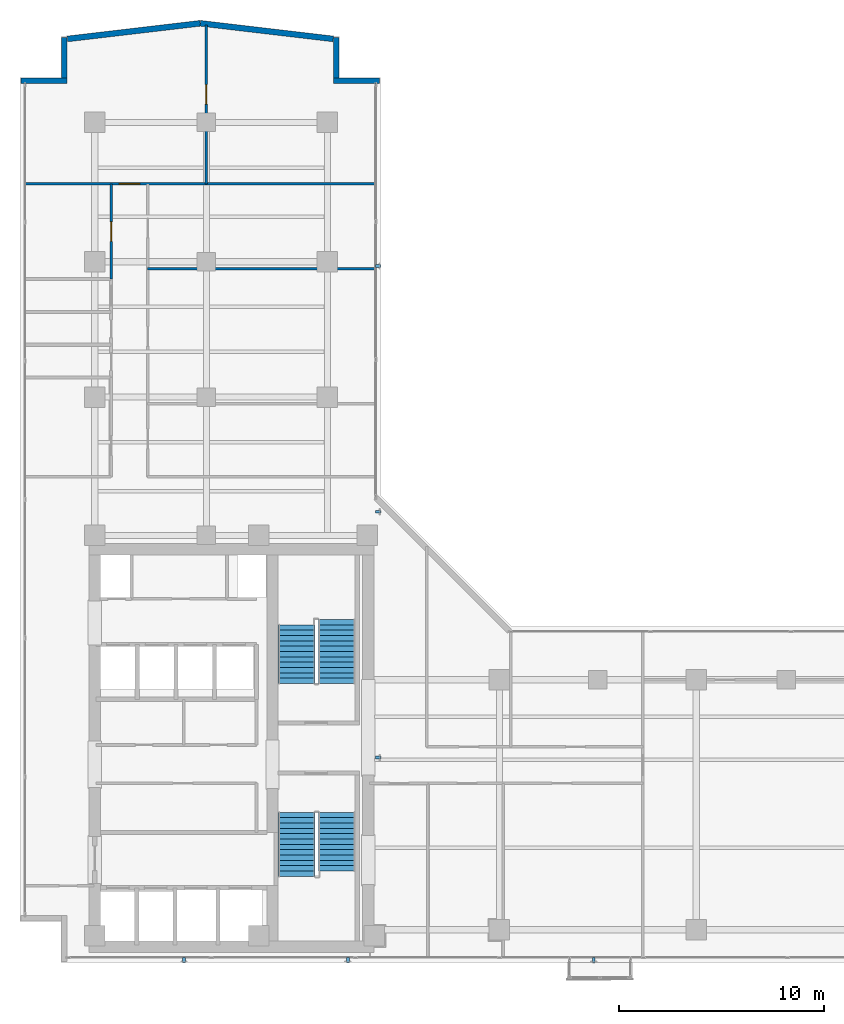
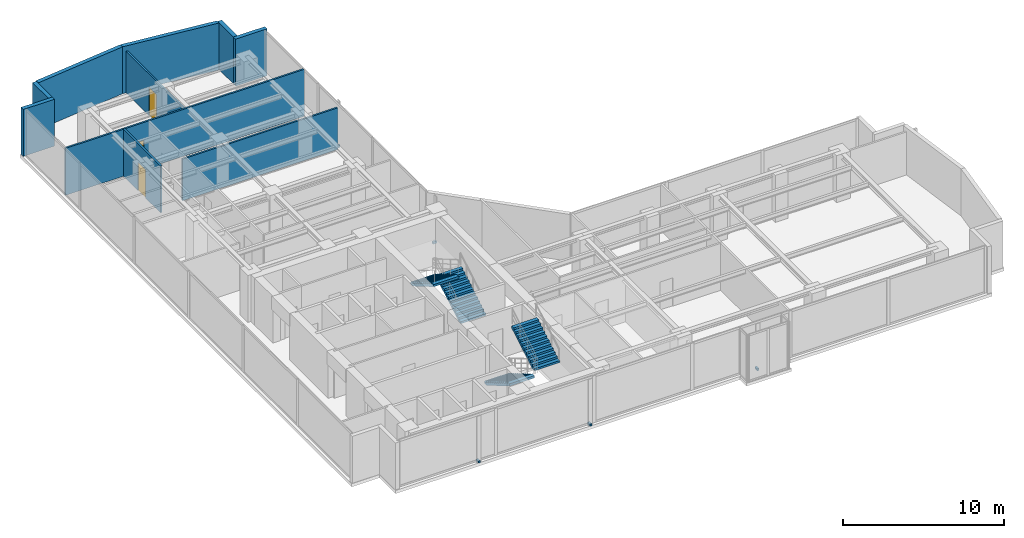
# One storey, part 19 of 23: 10 walls, 6 discrete accessories, 4 stair flights, 3 doors, 3 openings, 2 elements without a shape of their own.
"""IFC4 building model written with IfcOpenShell, lengths in metres."""

from ifc_helpers import new_model, si_unit, direction, frame, frame_2d, origin, origin_with_axes, origin_2d, place, context, subcontext, project, spatial, polyline, rectangle, outline, extrude, source, transform, mapped, material, layer, layer_set, type_object, element, fill, aggregate, save


model = new_model("IFC4")

# Units and contexts
model_context = context("Model", 3, precision=1e-05, world=origin(), true_north=direction((0.0, 1.0)))
body_context = subcontext(model_context, "Body", "Model", "MODEL_VIEW")
ifc_project = project(units=[si_unit("LENGTHUNIT", "METRE"), si_unit("AREAUNIT", "SQUARE_METRE"), si_unit("VOLUMEUNIT", "CUBIC_METRE"), si_unit("PLANEANGLEUNIT", "RADIAN"), si_unit("MASSUNIT", "GRAM", prefix="KILO")], contexts=[model_context])

# Site, building, storey
site_placement = place(None, origin())
site = spatial("IfcSite", under=ifc_project, at=site_placement, CompositionType="ELEMENT")
building_placement = place(site_placement, origin())
building = spatial("IfcBuilding", under=site, at=building_placement, Name="Kolvaren Waterfront Exchange", CompositionType="ELEMENT")
storey_placement = place(building_placement, frame((0.0, 0.0, 234.89990234375)))
storey = spatial("IfcBuildingStorey", under=building, at=storey_placement, Name="L60", CompositionType="ELEMENT", Elevation=234.89990234375)

# Walls
ifc_material_1 = material(Name="Precast concrete C40/50", Category="concrete")
ifc_layer_1 = layer(ifc_material_1, 0.280029296875, Name="Precast concrete C40/50")
ifc_layer_set_1 = layer_set([ifc_layer_1], Name="Precast concrete C40/50")
wall_type_1 = type_object("IfcWallType", Name="ARC-EXT-TERR-280", PredefinedType="SOLIDWALL", material=ifc_layer_set_1)
wall_1_placement = place(storey_placement, frame((19.10009765625, 46.639892578125, 0.0), z_axis=(0.0, 0.0, 1.0), x_axis=(1.0, 0.0, 0.0)))
element("IfcWall", 1, at=wall_1_placement, inside=storey, type_object=wall_type_1, Name="L60 notched corner spandrel pier NNE-A", PredefinedType="SOLIDWALL", context=body_context, shape_type="SweptSolid", body=[
    extrude(rectangle(XDim=2.239990234375, YDim=0.280029296875, at=frame_2d((1.1201171875, 0.0))), origin(), (0.0, 0.0, 1.0), 3.56005859375),
])
wall_2_placement = place(storey_placement, frame((19.239990234375, 46.780029296875, 0.0), z_axis=(0.0, 0.0, 1.0), x_axis=(0.0, 1.0, 0.0)))
element("IfcWall", 2, at=wall_2_placement, inside=storey, type_object=wall_type_1, Name="L60 notched corner spandrel pier NNE-B", PredefinedType="SOLIDWALL", context=body_context, shape_type="SweptSolid", body=[
    extrude(rectangle(XDim=1.9599609375, YDim=0.280029296875, at=frame_2d((0.97998046875, 0.0))), origin(), (0.0, 0.0, 1.0), 3.56005859375),
])
wall_3_placement = place(storey_placement, frame((3.860107421875, 46.639892578125, 0.0), z_axis=(0.0, 0.0, 1.0), x_axis=(1.0, 0.0, 0.0)))
element("IfcWall", 3, at=wall_3_placement, inside=storey, type_object=wall_type_1, Name="L60 notched corner spandrel pier NW-A", PredefinedType="SOLIDWALL", context=body_context, shape_type="SweptSolid", body=[
    extrude(rectangle(XDim=2.239990234375, YDim=0.280029296875, at=frame_2d((1.1201171875, 0.0))), origin(), (0.0, 0.0, 1.0), 3.56005859375),
])
wall_4_placement = place(storey_placement, frame((5.9599609375, 46.780029296875, 0.0), z_axis=(0.0, 0.0, 1.0), x_axis=(0.0, 1.0, 0.0)))
element("IfcWall", 4, at=wall_4_placement, inside=storey, type_object=wall_type_1, Name="L60 notched corner spandrel pier NW-B", PredefinedType="SOLIDWALL", context=body_context, shape_type="SweptSolid", body=[
    extrude(rectangle(XDim=1.9599609375, YDim=0.280029296875, at=frame_2d((0.97998046875, 0.0))), origin(), (0.0, 0.0, 1.0), 3.56005859375),
])
for number, where, z_axis, x_axis, name in (
    (5, (19.08349609375, 48.676025390625, 0.0), (0.0, 0.0, 1.0), (-0.993149072278, 0.11685426921, 0.0), "L60 north prow faceted facade wall 1"),
    (6, (12.598876953125, 49.438720703125, 0.0), (0.0, 0.0, 1.0), (-0.993149072278, -0.11685426921, 0.0), "L60 north prow faceted facade wall 2"),
):
    element("IfcWall", number, at=place(storey_placement, frame(where, z_axis=z_axis, x_axis=x_axis)), inside=storey, type_object=wall_type_1, Name=name, PredefinedType="SOLIDWALL", context=body_context, shape_type="SweptSolid", body=[
        extrude(rectangle(XDim=6.52685546875, YDim=0.280029296875, at=frame_2d((3.263427734375, 0.0))), origin(), (0.0, 0.0, 1.0), 3.56005859375),
    ])

# Wall, opening, door
ifc_material_2 = material(Name="Acoustic gypsum steel stud", Category="steel")
ifc_layer_2 = layer(ifc_material_2, 0.125, Name="Acoustic gypsum steel stud")
ifc_layer_set_2 = layer_set([ifc_layer_2], Name="Acoustic gypsum steel stud")
wall_type_2 = type_object("IfcWallType", Name="ARC-PART-125", PredefinedType="PARTITIONING", material=ifc_layer_set_2)
wall_5_placement = place(storey_placement, frame((8.25, 36.949951171875, 0.0), z_axis=(0.0, 0.0, 1.0), x_axis=(0.0, 1.0, 0.0)))
wall_5 = element("IfcWall", 7, at=wall_5_placement, inside=storey, type_object=wall_type_2, Name="L60 interior wall PW-L60-NW-CORR", PredefinedType="PARTITIONING", context=body_context, shape_type="SweptSolid", body=[
    extrude(rectangle(XDim=4.650146484375, YDim=0.125, at=frame_2d((2.3251953125, 0.0))), origin(), (0.0, 0.0, 1.0), 3.56005859375),
])
opening_1_placement = place(wall_5_placement, frame((1.85009765625, 0.0, 0.0)))
opening_1 = element("IfcOpeningElement", 8, at=opening_1_placement, cuts=wall_5, Name="Opening D02", PredefinedType="OPENING", context=body_context, shape_type="SweptSolid", body=[
    extrude(rectangle(XDim=0.949951171875, YDim=2.14990234375, at=frame_2d((0.47509765625, 1.074951171875))), frame((0.0, 0.072509765625, 0.0), z_axis=(0.0, -1.0, 0.0), x_axis=(1.0, 0.0, 0.0)), (0.0, 0.0, 1.0), 0.14501953125),
])
ifc_material_3 = material(Name="Oak veneer acoustic timber", Category="wood")
door_type_1 = type_object("IfcDoorType", Name="ARC-DR-950", OperationType="NOTDEFINED", PredefinedType="DOOR", material=ifc_material_3)
door_1_placement = place(opening_1_placement, origin())
door_1 = element("IfcDoor", 9, at=door_1_placement, inside=storey, type_object=door_type_1, Name="L60 door DR-L60-NW-D-1 (D02)", OperationType="SINGLE_SWING_LEFT", OverallHeight=2.14990234375, OverallWidth=0.949951171875, PredefinedType="DOOR", context=body_context, shape_type="SweptSolid", body=[
    extrude(rectangle(XDim=0.949951171875, YDim=2.14990234375, at=frame_2d((0.47509765625, 1.074951171875))), frame((0.0, 0.02490234375, 0.0), z_axis=(0.0, -1.0, 0.0), x_axis=(1.0, 0.0, 0.0)), (0.0, 0.0, 1.0), 0.050048828125),
])
fill(opening_1, door_1)

wall_6_placement = place(storey_placement, frame((4.0400390625, 41.60009765625, 0.0), z_axis=(0.0, 0.0, 1.0), x_axis=(1.0, 0.0, 0.0)))
wall_6 = element("IfcWall", 10, at=wall_6_placement, inside=storey, type_object=wall_type_2, Name="L60 interior wall PW-L60-NTIP-S", PredefinedType="PARTITIONING", context=body_context, shape_type="SweptSolid", body=[
    extrude(rectangle(XDim=17.119873046875, YDim=0.125, at=frame_2d((8.56005859375, 0.0))), origin(), (0.0, 0.0, 1.0), 3.56005859375),
])
opening_2_placement = place(wall_6_placement, frame((4.60009765625, 0.0, 0.0)))
opening_2 = element("IfcOpeningElement", 11, at=opening_2_placement, cuts=wall_6, Name="Opening D03", PredefinedType="OPENING", context=body_context, shape_type="SweptSolid", body=[
    extrude(rectangle(XDim=1.0, YDim=2.199951171875, at=frame_2d((0.5, 1.10009765625))), frame((0.0, 0.072509765625, 0.0), z_axis=(0.0, -1.0, 0.0), x_axis=(1.0, 0.0, 0.0)), (0.0, 0.0, 1.0), 0.14501953125),
])
ifc_material_4 = material(Name="Oak veneer accessible timber", Category="wood")
door_type_2 = type_object("IfcDoorType", Name="ARC-DR-1000", OperationType="NOTDEFINED", PredefinedType="DOOR", material=ifc_material_4)
door_2_placement = place(opening_2_placement, origin())
door_2 = element("IfcDoor", 12, at=door_2_placement, inside=storey, type_object=door_type_2, Name="L60 door DR-L60-NTIPW-D (D03)", OperationType="SINGLE_SWING_RIGHT", OverallHeight=2.199951171875, OverallWidth=1.0, PredefinedType="DOOR", context=body_context, shape_type="SweptSolid", body=[
    extrude(rectangle(XDim=1.0, YDim=2.199951171875, at=frame_2d((0.5, 1.10009765625))), frame((0.0, 0.02490234375, 0.0), z_axis=(0.0, -1.0, 0.0), x_axis=(1.0, 0.0, 0.0)), (0.0, 0.0, 1.0), 0.050048828125),
])
fill(opening_2, door_2)

wall_7_placement = place(storey_placement, frame((12.89990234375, 41.60009765625, 0.0), z_axis=(0.0, 0.0, 1.0), x_axis=(0.0, 1.0, 0.0)))
wall_7 = element("IfcWall", 13, at=wall_7_placement, inside=storey, type_object=wall_type_2, Name="L60 interior wall PW-L60-NTIP-DIV", PredefinedType="PARTITIONING", context=body_context, shape_type="SweptSolid", body=[
    extrude(rectangle(XDim=7.760009765625, YDim=0.125, at=frame_2d((3.8798828125, 0.0))), origin(), (0.0, 0.0, 1.0), 3.16015625),
])
opening_3_placement = place(wall_7_placement, frame((3.8935546875, 0.0, 0.0)))
opening_3 = element("IfcOpeningElement", 14, at=opening_3_placement, cuts=wall_7, Name="Opening D02", PredefinedType="OPENING", context=body_context, shape_type="SweptSolid", body=[
    extrude(rectangle(XDim=0.949951171875, YDim=2.14990234375, at=frame_2d((0.47509765625, 1.074951171875))), frame((0.0, 0.072509765625, 0.0), z_axis=(0.0, -1.0, 0.0), x_axis=(1.0, 0.0, 0.0)), (0.0, 0.0, 1.0), 0.14501953125),
])
door_3_placement = place(opening_3_placement, origin())
door_3 = element("IfcDoor", 15, at=door_3_placement, inside=storey, type_object=door_type_1, Name="L60 door DR-L60-NTIPE-D (D02)", OperationType="SINGLE_SWING_LEFT", OverallHeight=2.14990234375, OverallWidth=0.949951171875, PredefinedType="DOOR", context=body_context, shape_type="SweptSolid", body=[
    extrude(rectangle(XDim=0.949951171875, YDim=2.14990234375, at=frame_2d((0.47509765625, 1.074951171875))), frame((0.0, 0.02490234375, 0.0), z_axis=(0.0, -1.0, 0.0), x_axis=(1.0, 0.0, 0.0)), (0.0, 0.0, 1.0), 0.050048828125),
])
fill(opening_3, door_3)

# Wall
wall_8_placement = place(storey_placement, frame((10.030029296875, 37.449951171875, 0.0), z_axis=(0.0, 0.0, 1.0), x_axis=(1.0, 0.0, 0.0)))
element("IfcWall", 16, at=wall_8_placement, inside=storey, type_object=wall_type_2, Name="L60 interior wall PW-L60-NE-DIV-2", PredefinedType="PARTITIONING", context=body_context, shape_type="SweptSolid", body=[
    extrude(rectangle(XDim=11.1298828125, YDim=0.125, at=frame_2d((5.56494140625, 0.0))), origin(), (0.0, 0.0, 1.0), 3.16015625),
])

# Stair, stair flights
ifc_material_5 = material(Name="Concrete C40/50", Category="concrete")
stair_type = type_object("IfcStairType", Name="ARC-STAIR-3800", PredefinedType="HALF_TURN_STAIR", material=ifc_material_5)
stair_1_placement = place(storey_placement, origin())
stair_1 = element("IfcStair", 17, at=stair_1_placement, inside=storey, type_object=stair_type, Name="L60 Smoke-proof exit stair ST1", PredefinedType="HALF_TURN_STAIR")
stair_flight_type = type_object("IfcStairFlightType", Name="ARC-FLIGHT-3800", PredefinedType="STRAIGHT", material=ifc_material_5)
stair_flight_1_placement = place(storey_placement, frame((17.300048828125, 10.929931640625, 0.0), z_axis=(0.0, 0.0, 1.0), x_axis=(0.0, -1.0, 0.0)))
stair_flight_1 = element("IfcStairFlight", 18, at=stair_flight_1_placement, type_object=stair_flight_type, Name="ST1 flight 1", NumberOfRisers=13, NumberOfTreads=12, PredefinedType="STRAIGHT", RiserHeight=0.152, TreadLength=0.26, context=body_context, shape_type="SweptSolid", body=[
    extrude(outline(polyline([(0.0, 0.0), (0.0, 0.152099609375), (0.260009765625, 0.152099609375), (0.260009765625, 0.303955078125), (0.52001953125, 0.303955078125), (0.52001953125, 0.4560546875), (0.780029296875, 0.4560546875), (0.780029296875, 0.60791015625), (1.0400390625, 0.60791015625), (1.0400390625, 0.760009765625), (1.300048828125, 0.760009765625), (1.300048828125, 0.912109375), (1.56005859375, 0.912109375), (1.56005859375, 1.06396484375), (1.820068359375, 1.06396484375), (1.820068359375, 1.216064453125), (2.080078125, 1.216064453125), (2.080078125, 1.367919921875), (2.340087890625, 1.367919921875), (2.340087890625, 1.52001953125), (2.60009765625, 1.52001953125), (2.60009765625, 1.672119140625), (2.860107421875, 1.672119140625), (2.860107421875, 1.823974609375), (3.1201171875, 1.823974609375), (3.1201171875, 1.97607421875), (3.1201171875, 1.650390625), (0.297119140625, 0.0), (0.0, 0.0)])), frame((0.0, 0.89990234375, 0.0), z_axis=(0.0, -1.0, 0.0), x_axis=(1.0, 0.0, 0.0)), (0.0, 0.0, 1.0), 1.800048828125),
])
stair_flight_2_placement = place(storey_placement, frame((19.260009765625, 8.070068359375, 1.97607421875), z_axis=(0.0, 0.0, 1.0), x_axis=(0.0, 1.0, 0.0)))
stair_flight_2 = element("IfcStairFlight", 19, at=stair_flight_2_placement, type_object=stair_flight_type, Name="ST1 flight 2", NumberOfRisers=12, NumberOfTreads=11, PredefinedType="STRAIGHT", RiserHeight=0.152, TreadLength=0.26, context=body_context, shape_type="SweptSolid", body=[
    extrude(outline(polyline([(0.0, 0.0), (0.0, 0.152099609375), (0.260009765625, 0.152099609375), (0.260009765625, 0.303955078125), (0.52001953125, 0.303955078125), (0.52001953125, 0.4560546875), (0.780029296875, 0.4560546875), (0.780029296875, 0.60791015625), (1.0400390625, 0.60791015625), (1.0400390625, 0.760009765625), (1.300048828125, 0.760009765625), (1.300048828125, 0.912109375), (1.56005859375, 0.912109375), (1.56005859375, 1.06396484375), (1.820068359375, 1.06396484375), (1.820068359375, 1.216064453125), (2.080078125, 1.216064453125), (2.080078125, 1.367919921875), (2.340087890625, 1.367919921875), (2.340087890625, 1.52001953125), (2.60009765625, 1.52001953125), (2.60009765625, 1.672119140625), (2.860107421875, 1.672119140625), (2.860107421875, 1.823974609375), (2.860107421875, 1.498291015625), (0.297119140625, 0.0), (0.0, 0.0)])), frame((0.0, 0.89990234375, 0.0), z_axis=(0.0, -1.0, 0.0), x_axis=(1.0, 0.0, 0.0)), (0.0, 0.0, 1.0), 1.800048828125),
])
aggregate(stair_1, [stair_flight_1, stair_flight_2])

stair_2_placement = place(storey_placement, origin())
stair_2 = element("IfcStair", 20, at=stair_2_placement, inside=storey, type_object=stair_type, Name="L60 Smoke-proof exit stair ST2", PredefinedType="HALF_TURN_STAIR")
stair_flight_3_placement = place(storey_placement, frame((19.260009765625, 17.219970703125, 0.0), z_axis=(0.0, 0.0, 1.0), x_axis=(0.0, 1.0, 0.0)))
stair_flight_3 = element("IfcStairFlight", 21, at=stair_flight_3_placement, type_object=stair_flight_type, Name="ST2 flight 1", NumberOfRisers=13, NumberOfTreads=12, PredefinedType="STRAIGHT", RiserHeight=0.152, TreadLength=0.26, context=body_context, shape_type="SweptSolid", body=[
    extrude(outline(polyline([(0.0, 0.0), (0.0, 0.152099609375), (0.260009765625, 0.152099609375), (0.260009765625, 0.303955078125), (0.52001953125, 0.303955078125), (0.52001953125, 0.4560546875), (0.780029296875, 0.4560546875), (0.780029296875, 0.60791015625), (1.0400390625, 0.60791015625), (1.0400390625, 0.760009765625), (1.300048828125, 0.760009765625), (1.300048828125, 0.912109375), (1.56005859375, 0.912109375), (1.56005859375, 1.06396484375), (1.820068359375, 1.06396484375), (1.820068359375, 1.216064453125), (2.080078125, 1.216064453125), (2.080078125, 1.367919921875), (2.340087890625, 1.367919921875), (2.340087890625, 1.52001953125), (2.60009765625, 1.52001953125), (2.60009765625, 1.672119140625), (2.860107421875, 1.672119140625), (2.860107421875, 1.823974609375), (3.1201171875, 1.823974609375), (3.1201171875, 1.97607421875), (3.1201171875, 1.650390625), (0.297119140625, 0.0), (0.0, 0.0)])), frame((0.0, 0.89990234375, 0.0), z_axis=(0.0, -1.0, 0.0), x_axis=(1.0, 0.0, 0.0)), (0.0, 0.0, 1.0), 1.800048828125),
])
stair_flight_4_placement = place(storey_placement, frame((17.300048828125, 20.080078125, 1.97607421875), z_axis=(0.0, 0.0, 1.0), x_axis=(0.0, -1.0, 0.0)))
stair_flight_4 = element("IfcStairFlight", 22, at=stair_flight_4_placement, type_object=stair_flight_type, Name="ST2 flight 2", NumberOfRisers=12, NumberOfTreads=11, PredefinedType="STRAIGHT", RiserHeight=0.152, TreadLength=0.26, context=body_context, shape_type="SweptSolid", body=[
    extrude(outline(polyline([(0.0, 0.0), (0.0, 0.152099609375), (0.260009765625, 0.152099609375), (0.260009765625, 0.303955078125), (0.52001953125, 0.303955078125), (0.52001953125, 0.4560546875), (0.780029296875, 0.4560546875), (0.780029296875, 0.60791015625), (1.0400390625, 0.60791015625), (1.0400390625, 0.760009765625), (1.300048828125, 0.760009765625), (1.300048828125, 0.912109375), (1.56005859375, 0.912109375), (1.56005859375, 1.06396484375), (1.820068359375, 1.06396484375), (1.820068359375, 1.216064453125), (2.080078125, 1.216064453125), (2.080078125, 1.367919921875), (2.340087890625, 1.367919921875), (2.340087890625, 1.52001953125), (2.60009765625, 1.52001953125), (2.60009765625, 1.672119140625), (2.860107421875, 1.672119140625), (2.860107421875, 1.823974609375), (2.860107421875, 1.498291015625), (0.297119140625, 0.0), (0.0, 0.0)])), frame((0.0, 0.89990234375, 0.0), z_axis=(0.0, -1.0, 0.0), x_axis=(1.0, 0.0, 0.0)), (0.0, 0.0, 1.0), 1.800048828125),
])
aggregate(stair_2, [stair_flight_3, stair_flight_4])

# Discrete accessories
ifc_material_6 = material(Name="Stainless steel 316", Category="steel")
discrete_accessory_type = type_object("IfcDiscreteAccessoryType", Name="ARC-BRK-FIN", PredefinedType="BRACKET", material=ifc_material_6)
shared_shape = source(origin_with_axes(), body_context, "Body", "SweptSolid", [
    extrude(rectangle(XDim=0.280029296875, YDim=0.139892578125, at=origin_2d()), origin(), (0.0, 0.0, 1.0), 0.159912109375),
])
for number, where, z_axis, x_axis, name in (
    (23, (11.800048828125, 3.719970703125, 0.0), (0.0, 0.0, 1.0), (0.0, -1.0, 0.0), "L60 bronze fin anchor bracket FIN-L60-S1"),
    (24, (19.800048828125, 3.719970703125, 0.0), (0.0, 0.0, 1.0), (0.0, -1.0, 0.0), "L60 bronze fin anchor bracket FIN-L60-S2"),
    (25, (31.800048828125, 3.719970703125, 0.0), (0.0, 0.0, 1.0), (0.0, -1.0, 0.0), "L60 bronze fin anchor bracket FIN-L60-S3"),
    (26, (21.280029296875, 13.60009765625, 0.0), (0.0, 0.0, 1.0), (1.0, 0.0, 0.0), "L60 bronze fin anchor bracket FIN-L60-E1"),
    (27, (21.280029296875, 25.60009765625, 0.0), (0.0, 0.0, 1.0), (1.0, 0.0, 0.0), "L60 bronze fin anchor bracket FIN-L60-E2"),
    (28, (21.280029296875, 37.60009765625, 0.0), (0.0, 0.0, 1.0), (1.0, 0.0, 0.0), "L60 bronze fin anchor bracket FIN-L60-E3"),
):
    element("IfcDiscreteAccessory", number, at=place(storey_placement, frame(where, z_axis=z_axis, x_axis=x_axis)), inside=storey, type_object=discrete_accessory_type, Name=name, PredefinedType="BRACKET", context=body_context, shape_type="MappedRepresentation", body=[
        mapped(shared_shape, transform((0.0, 0.0, 0.0), x_axis=(1.0, 0.0, 0.0), y_axis=(0.0, 1.0, 0.0), z_axis=(0.0, 0.0, 1.0), scale=1.0)),
    ])

save(model, "model.ifc")
